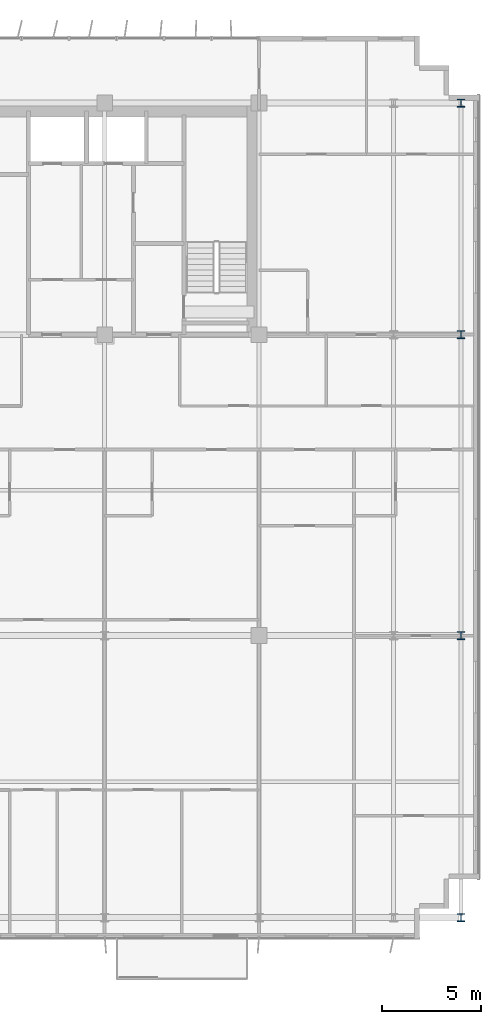
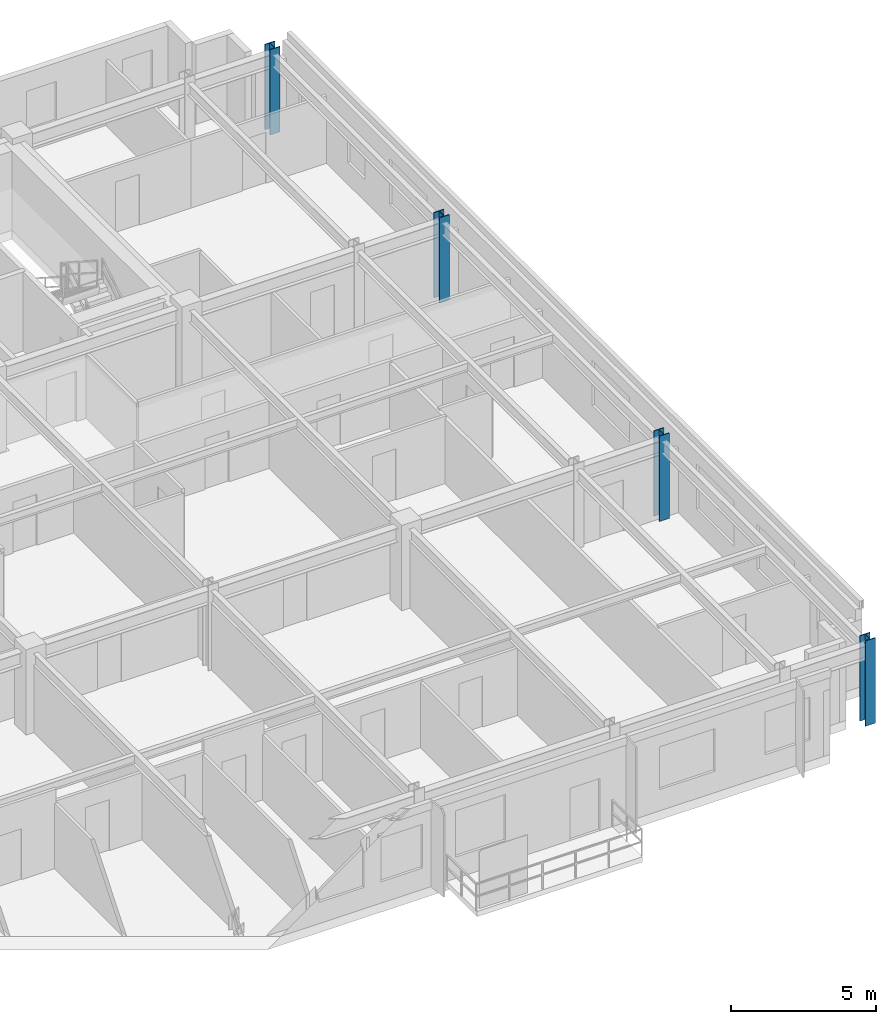
# One storey, part 3 of 22: 4 columns.
"""IFC4 building model written with IfcOpenShell, lengths in metres."""

from ifc_helpers import new_model, si_unit, direction, frame, origin, origin_2d, place, context, subcontext, project, spatial, i_section, extrude, source, transform, mapped, material, material_profile, profile_set, type_object, element, save


model = new_model("IFC4")

# Units and contexts
model_context = context("Model", 3, precision=1e-05, world=origin(), true_north=direction((0.0, 1.0)))
body_context = subcontext(model_context, "Body", "Model", "MODEL_VIEW")
ifc_project = project(units=[si_unit("LENGTHUNIT", "METRE"), si_unit("AREAUNIT", "SQUARE_METRE"), si_unit("VOLUMEUNIT", "CUBIC_METRE"), si_unit("PLANEANGLEUNIT", "RADIAN"), si_unit("MASSUNIT", "GRAM", prefix="KILO")], contexts=[model_context])

# Site, building, storey
site_placement = place(None, origin())
site = spatial("IfcSite", under=ifc_project, at=site_placement, CompositionType="ELEMENT")
building_placement = place(site_placement, origin())
building = spatial("IfcBuilding", under=site, at=building_placement, Name="Trelvane Seafront Commons", CompositionType="ELEMENT")
storey_placement = place(building_placement, frame((0.0, 0.0, 81.699951171875)))
storey = spatial("IfcBuildingStorey", under=building, at=storey_placement, Name="L20", CompositionType="ELEMENT", Elevation=81.699951171875)

# Columns
ifc_material = material(Name="Steel SM355 (S355)", Category="steel")
ifc_material_profile = material_profile(ifc_material, i_section(OverallWidth=0.39990234375, OverallDepth=0.39990234375, WebThickness=0.02197265625, FlangeThickness=0.034912109375, at=origin_2d()), Name="HD-400x400x22x35")
ifc_profile_set = profile_set([ifc_material_profile], Name="Steel SM355 (S355)")
column_type = type_object("IfcColumnType", Name="STR-COL-HD400", PredefinedType="COLUMN", material=ifc_profile_set)
shared_shape = source(origin(), body_context, "Body", "SweptSolid", [
    extrude(i_section(OverallWidth=0.39990234375, OverallDepth=0.39990234375, WebThickness=0.02197265625, FlangeThickness=0.034912109375, at=origin_2d()), origin(), (0.0, 0.0, 1.0), 3.60009765625),
])
for number, where, z_axis, x_axis, name in (
    (1, (69.0, 3.949951171875, 0.0), (0.0, 0.0, 1.0), (1.0, 0.0, 0.0), "L20 Column TC-S69.0"),
    (2, (69.0, 18.199951171875, 0.0), (0.0, 0.0, 1.0), (1.0, 0.0, 0.0), "L20 Column TC-M69.0"),
    (3, (69.0, 33.39990234375, 0.0), (0.0, 0.0, 1.0), (1.0, 0.0, 0.0), "L20 Column TC-CS69.0"),
    (4, (69.0, 45.10009765625, 0.0), (0.0, 0.0, 1.0), (1.0, 0.0, 0.0), "L20 Column TC-CN69.0"),
):
    element("IfcColumn", number, at=place(storey_placement, frame(where, z_axis=z_axis, x_axis=x_axis)), inside=storey, type_object=column_type, Name=name, PredefinedType="COLUMN", context=body_context, shape_type="MappedRepresentation", body=[
        mapped(shared_shape, transform((0.0, 0.0, 0.0), x_axis=(1.0, 0.0, 0.0), y_axis=(0.0, 1.0, 0.0), z_axis=(0.0, 0.0, 1.0), scale=1.0)),
    ])

save(model, "model.ifc")
